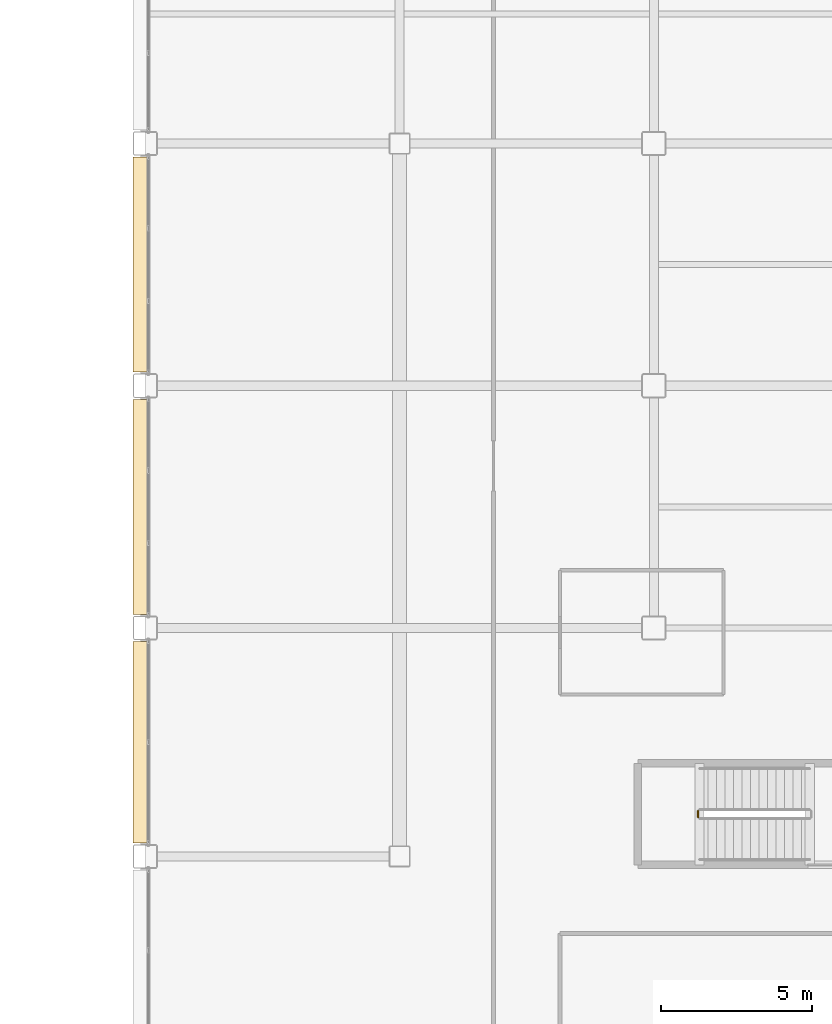
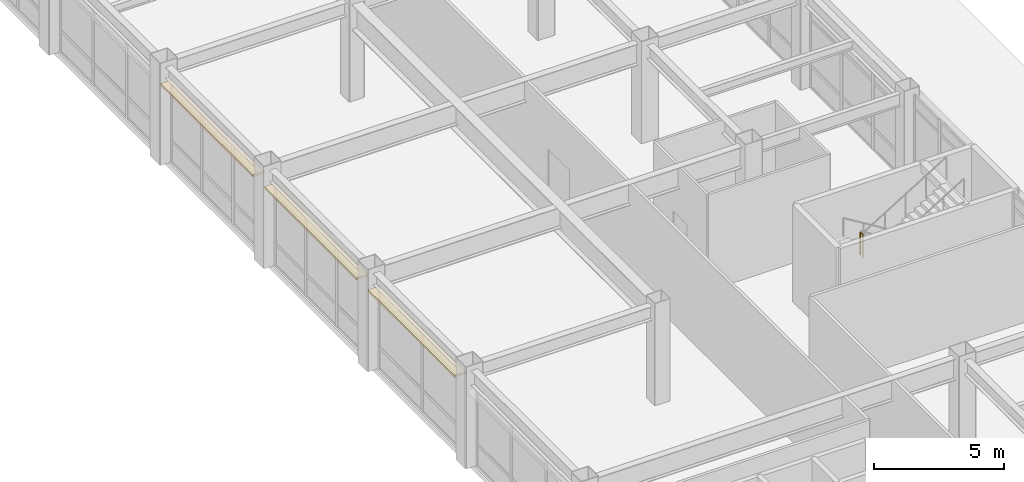
# One storey, part 170 of 172: 3 coverings, 1 railing.
"""IFC4 building model written with IfcOpenShell, lengths in metres."""

from ifc_helpers import new_model, si_unit, direction, frame, origin, origin_2d, place, context, subcontext, project, spatial, rectangle, circle, extrude, material, layer, layer_set, type_object, element, save


model = new_model("IFC4")

# Units and contexts
model_context = context("Model", 3, precision=1e-05, world=origin(), true_north=direction((0.0, 1.0)))
body_context = subcontext(model_context, "Body", "Model", "MODEL_VIEW")
ifc_project = project(units=[si_unit("LENGTHUNIT", "METRE"), si_unit("AREAUNIT", "SQUARE_METRE"), si_unit("VOLUMEUNIT", "CUBIC_METRE"), si_unit("PLANEANGLEUNIT", "RADIAN"), si_unit("MASSUNIT", "GRAM", prefix="KILO")], contexts=[model_context])

# Site, building, storey
site_placement = place(None, origin())
site = spatial("IfcSite", under=ifc_project, at=site_placement, CompositionType="ELEMENT")
building_placement = place(site_placement, origin())
building = spatial("IfcBuilding", under=site, at=building_placement, Name="Kazehara Bluff Congress Hotel", CompositionType="ELEMENT")
storey_placement = place(building_placement, frame((0.0, 0.0, 5.39990234375)))
storey = spatial("IfcBuildingStorey", under=building, at=storey_placement, Name="L01", CompositionType="ELEMENT", Elevation=5.39990234375)

# Coverings
ifc_material_1 = material(Name="Anodised aluminium architectural brise-soleil", Category="aluminium")
ifc_layer = layer(ifc_material_1, 0.10009765625)
ifc_layer_set = layer_set([ifc_layer], Name="Anodised aluminium architectural brise-soleil")
covering_type = type_object("IfcCoveringType", Name="TP-FAC-FIN", PredefinedType="CLADDING", material=ifc_layer_set)
covering_placement = place(storey_placement, frame((143.56005859375, 77.125, 3.804931640625), z_axis=(0.0, 0.0, 1.0), x_axis=(1.0, 0.0, 0.0)))
element("IfcCovering", 1, at=covering_placement, inside=storey, type_object=covering_type, Name="L01 V5 architectural sun-hood 73", PredefinedType="CLADDING", context=body_context, shape_type="SweptSolid", body=[
    extrude(rectangle(XDim=0.52001953125, YDim=6.64990234375, at=origin_2d()), origin(), (0.0, 0.0, 1.0), 0.10009765625),
])
for number, where, z_axis, x_axis, name in (
    (2, (143.56005859375, 84.89990234375, 3.804931640625), (0.0, 0.0, 1.0), (1.0, 0.0, 0.0), "L01 V5 architectural sun-hood 74"),
    (3, (143.56005859375, 92.89990234375, 3.804931640625), (0.0, 0.0, 1.0), (1.0, 0.0, 0.0), "L01 V5 architectural sun-hood 75"),
):
    element("IfcCovering", number, at=place(storey_placement, frame(where, z_axis=z_axis, x_axis=x_axis)), inside=storey, type_object=covering_type, Name=name, PredefinedType="CLADDING", context=body_context, shape_type="SweptSolid", body=[
        extrude(rectangle(XDim=0.52001953125, YDim=7.10009765625, at=origin_2d()), origin(), (0.0, 0.0, 1.0), 0.10009765625),
    ])

# Railing
ifc_material_2 = material(Name="Brushed stainless steel", Category="steel")
railing_type = type_object("IfcRailingType", Name="TP-GRD-INT", PredefinedType="GUARDRAIL", material=ifc_material_2)
railing_placement = place(storey_placement, frame((161.9599609375, 74.85009765625, 2.400146484375)))
element("IfcRailing", 4, at=railing_placement, inside=storey, type_object=railing_type, Name="L01 ST-12 stair guard 2", PredefinedType="GUARDRAIL", context=body_context, shape_type="SweptSolid", body=[
    extrude(circle(Radius=0.02392578125, at=origin_2d()), frame((0.0, 0.0, 1.076171875), z_axis=(0.0, -1.0, 0.0), x_axis=(1.0, 0.0, 0.0)), (0.0, 0.0, 1.0), 0.2001953125),
    extrude(circle(Radius=0.02099609375, at=origin_2d()), origin(), (0.0, 0.0, 1.0), 1.052001953125),
    extrude(circle(Radius=0.02099609375, at=origin_2d()), frame((0.0, -0.2001953125, 0.0)), (0.0, 0.0, 1.0), 1.052001953125),
])

save(model, "model.ifc")
